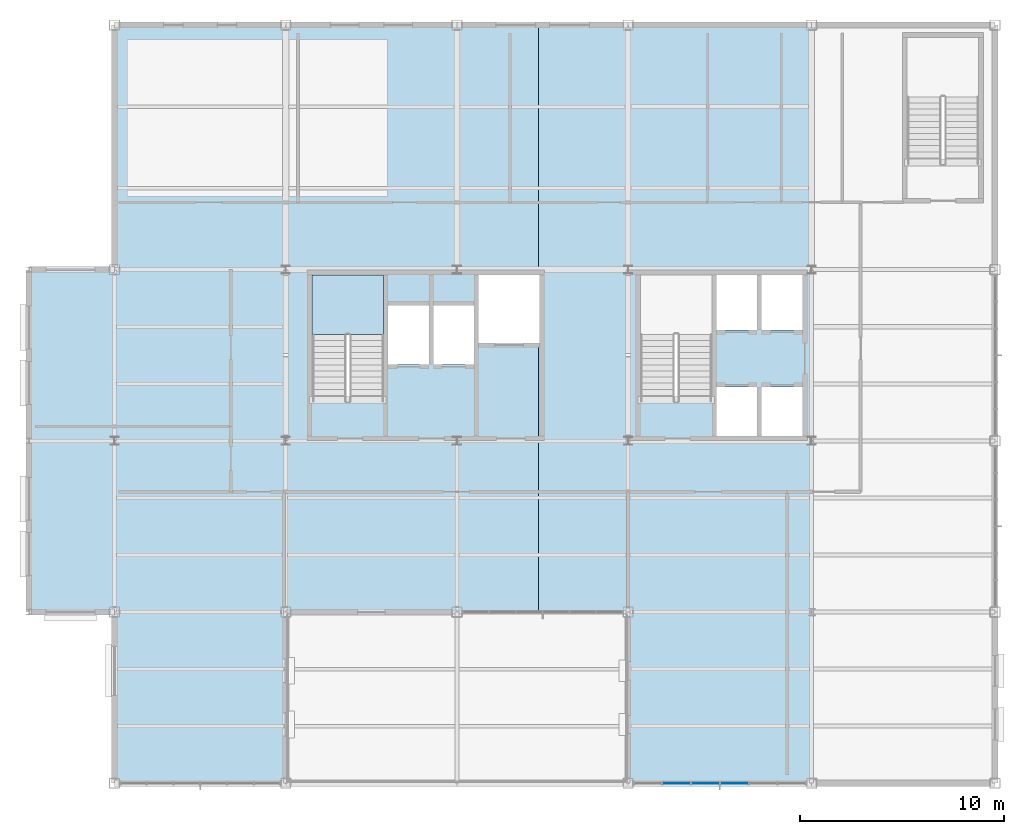
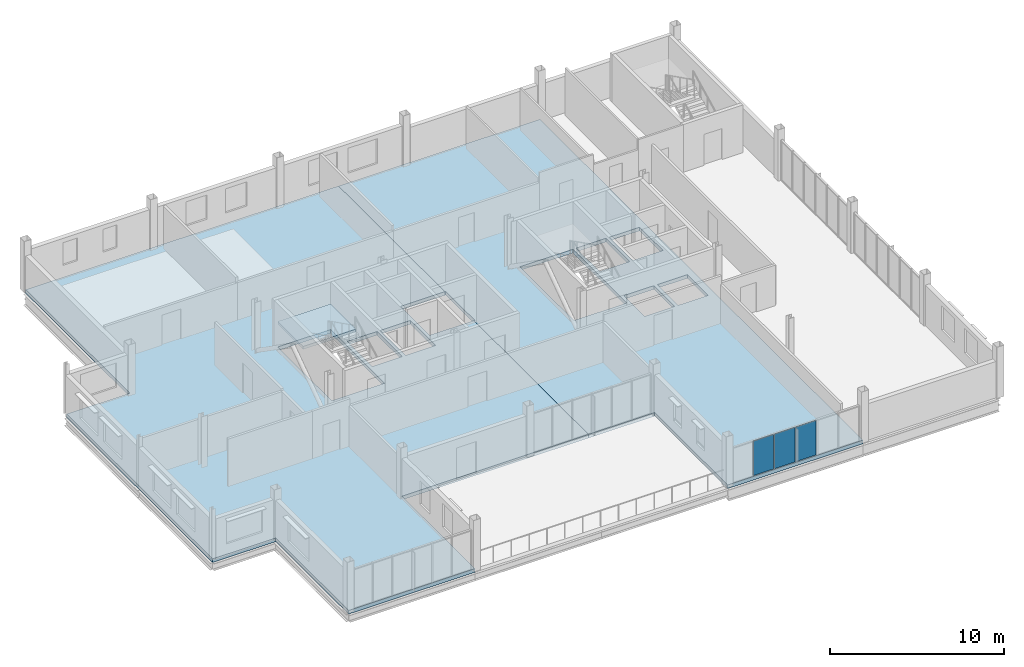
# One storey, part 11 of 20: 3 plates, 3 slabs, 2 elements without a shape of their own.
"""IFC4 building model written with IfcOpenShell, lengths in metres."""

from ifc_helpers import new_model, si_unit, direction, frame, origin, origin_2d, place, context, subcontext, project, spatial, polyline, rectangle, outline, extrude, material, layer, layer_set, type_object, element, aggregate, save


model = new_model("IFC4")

# Units and contexts
model_context = context("Model", 3, precision=1e-05, world=origin(), true_north=direction((0.0, 1.0)))
body_context = subcontext(model_context, "Body", "Model", "MODEL_VIEW")
ifc_project = project(units=[si_unit("LENGTHUNIT", "METRE"), si_unit("AREAUNIT", "SQUARE_METRE"), si_unit("VOLUMEUNIT", "CUBIC_METRE"), si_unit("PLANEANGLEUNIT", "RADIAN"), si_unit("MASSUNIT", "GRAM", prefix="KILO")], contexts=[model_context])

# Site, building, storey
site_placement = place(None, origin())
site = spatial("IfcSite", under=ifc_project, at=site_placement, CompositionType="ELEMENT")
building_placement = place(site_placement, origin())
building = spatial("IfcBuilding", under=site, at=building_placement, Name="Yukiwa Park Conservatory and Herbarium", CompositionType="ELEMENT")
storey_placement = place(building_placement, frame((0.0, 0.0, 28.199951171875)))
storey = spatial("IfcBuildingStorey", under=building, at=storey_placement, Name="L07", CompositionType="ELEMENT", Elevation=28.199951171875)

# Curtain wall, plates
ifc_material_1 = material(Name="Triple Low-E Insulated Glass", Category="glass")
ifc_layer_1 = layer(ifc_material_1, 0.248046875)
ifc_layer_set_1 = layer_set([ifc_layer_1], Name="Triple Low-E Insulated Glass")
curtain_wall_type = type_object("IfcCurtainWallType", Name="CW-TOWER-LAB-S-1400", PredefinedType="NOTDEFINED", material=ifc_layer_set_1)
curtain_wall_placement = place(storey_placement, origin())
curtain_wall = element("IfcCurtainWall", 1, at=curtain_wall_placement, inside=storey, type_object=curtain_wall_type, Name="L07 unitised curtain wall CW-L07-090", PredefinedType="NOTDEFINED")
ifc_material_2 = material(Name="Triple Low-E Insulated Glass", Category="glass")
ifc_layer_2 = layer(ifc_material_2, 0.035888671875)
ifc_layer_set_2 = layer_set([ifc_layer_2], Name="Triple Low-E Insulated Glass")
plate_type = type_object("IfcPlateType", Name="PL-CW-GLZ-36", PredefinedType="CURTAIN_PANEL", material=ifc_layer_set_2)
plate_1_placement = place(storey_placement, frame((152.375, 78.0, 0.070068359375), z_axis=(0.0, 0.0, 1.0), x_axis=(1.0, 0.0, 0.0)))
plate_1 = element("IfcPlate", 2, at=plate_1_placement, type_object=plate_type, Name="CW-L07-090 vision panel 2.1", PredefinedType="CURTAIN_PANEL", context=body_context, shape_type="SweptSolid", body=[
    extrude(rectangle(XDim=1.3466796875, YDim=0.035888671875, at=origin_2d()), origin(), (0.0, 0.0, 1.0), 2.419921875),
])
plate_2_placement = place(storey_placement, frame((153.791748046875, 78.0, 0.070068359375), z_axis=(0.0, 0.0, 1.0), x_axis=(1.0, 0.0, 0.0)))
plate_2 = element("IfcPlate", 3, at=plate_2_placement, type_object=plate_type, Name="CW-L07-090 vision panel 3.1", PredefinedType="CURTAIN_PANEL", context=body_context, shape_type="SweptSolid", body=[
    extrude(rectangle(XDim=1.3466796875, YDim=0.035888671875, at=origin_2d()), origin(), (0.0, 0.0, 1.0), 2.419921875),
])
plate_3_placement = place(storey_placement, frame((155.208251953125, 78.0, 0.070068359375), z_axis=(0.0, 0.0, 1.0), x_axis=(1.0, 0.0, 0.0)))
plate_3 = element("IfcPlate", 4, at=plate_3_placement, type_object=plate_type, Name="CW-L07-090 vision panel 4.1", PredefinedType="CURTAIN_PANEL", context=body_context, shape_type="SweptSolid", body=[
    extrude(rectangle(XDim=1.3466796875, YDim=0.035888671875, at=origin_2d()), origin(), (0.0, 0.0, 1.0), 2.419921875),
])
aggregate(curtain_wall, [plate_1, plate_2, plate_3])

# Slabs
ifc_material_3 = material(Name="Concrete C40", Category="concrete")
ifc_layer_3 = layer(ifc_material_3, 0.2548828125)
ifc_layer_set_3 = layer_set([ifc_layer_3], Name="Concrete C40")
slab_type_1 = type_object("IfcSlabType", Name="SL-FLR-255", PredefinedType="FLOOR", material=ifc_layer_set_3)
slab_1_placement = place(storey_placement, frame((0.0, 0.0, -0.2548828125)))
element("IfcSlab", 5, at=slab_1_placement, inside=storey, type_object=slab_type_1, Name="L07 composite structural floor slab V5W", PredefinedType="FLOOR", context=body_context, shape_type="SweptSolid", body=[
    extrude(outline(polyline([(133.199951171875, 78.0), (124.800048828125, 78.0), (124.800048828125, 86.39990234375), (120.60009765625, 86.39990234375), (120.60009765625, 103.199951171875), (124.800048828125, 103.199951171875), (124.800048828125, 115.199951171875), (145.60009765625, 115.199951171875), (145.60009765625, 102.949951171875), (142.659912109375, 102.949951171875), (142.659912109375, 99.60009765625), (145.60009765625, 99.60009765625), (145.60009765625, 86.39990234375), (133.199951171875, 86.39990234375), (133.199951171875, 78.0)]), holes=[polyline([(134.489990234375, 102.949951171875), (134.489990234375, 96.72998046875), (138.0, 96.72998046875), (138.0, 102.949951171875), (134.489990234375, 102.949951171875)]), polyline([(140.219970703125, 101.43994140625), (138.219970703125, 101.43994140625), (138.219970703125, 98.5400390625), (140.219970703125, 98.5400390625), (140.219970703125, 101.43994140625)]), polyline([(140.43994140625, 101.43994140625), (140.43994140625, 98.5400390625), (142.43994140625, 98.5400390625), (142.43994140625, 101.43994140625), (140.43994140625, 101.43994140625)])]), origin(), (0.0, 0.0, 1.0), 0.2548828125),
])
slab_2_placement = place(storey_placement, frame((0.0, 0.0, -0.2548828125)))
element("IfcSlab", 6, at=slab_2_placement, inside=storey, type_object=slab_type_1, Name="L07 composite structural floor slab V5C", PredefinedType="FLOOR", context=body_context, shape_type="SweptSolid", body=[
    extrude(outline(polyline([(150.0, 86.39990234375), (145.60009765625, 86.39990234375), (145.60009765625, 99.60009765625), (145.659912109375, 99.60009765625), (145.659912109375, 102.949951171875), (145.60009765625, 102.949951171875), (145.60009765625, 115.199951171875), (159.0, 115.199951171875), (159.0, 78.0), (150.0, 78.0), (150.0, 86.39990234375)]), holes=[polyline([(154.330078125, 97.449951171875), (154.330078125, 95.050048828125), (156.330078125, 95.050048828125), (156.330078125, 97.449951171875), (154.330078125, 97.449951171875)]), polyline([(156.550048828125, 97.449951171875), (156.550048828125, 95.050048828125), (158.550048828125, 95.050048828125), (158.550048828125, 97.449951171875), (156.550048828125, 97.449951171875)]), polyline([(154.110107421875, 102.949951171875), (150.60009765625, 102.949951171875), (150.60009765625, 96.72998046875), (154.110107421875, 96.72998046875), (154.110107421875, 102.949951171875)]), polyline([(154.330078125, 102.949951171875), (154.330078125, 100.25), (156.330078125, 100.25), (156.330078125, 102.949951171875), (154.330078125, 102.949951171875)]), polyline([(158.550048828125, 102.949951171875), (156.550048828125, 102.949951171875), (156.550048828125, 100.25), (158.550048828125, 100.25), (158.550048828125, 102.949951171875)])]), origin(), (0.0, 0.0, 1.0), 0.2548828125),
])

# Stair, slab
ifc_material_4 = material(Name="Concrete C40", Category="concrete")
stair_type = type_object("IfcStairType", Name="ST-DOGLEG-ST-T1", PredefinedType="HALF_TURN_STAIR", material=ifc_material_4)
stair_placement = place(storey_placement, origin())
stair = element("IfcStair", 7, at=stair_placement, inside=storey, type_object=stair_type, Name="L07 Protected Smoke-Proof Stair ST-T1", PredefinedType="HALF_TURN_STAIR")
ifc_material_5 = material(Name="Concrete C40", Category="concrete")
ifc_layer_4 = layer(ifc_material_5, 0.199951171875)
ifc_layer_set_4 = layer_set([ifc_layer_4], Name="Concrete C40")
slab_type_2 = type_object("IfcSlabType", Name="SL-LANDING-220", PredefinedType="LANDING", material=ifc_layer_set_4)
slab_3_placement = place(storey_placement, frame((0.0, 0.0, 1.60009765625)))
slab_3 = element("IfcSlab", 8, at=slab_3_placement, type_object=slab_type_2, Name="ST-T1 landing 1", PredefinedType="LANDING", context=body_context, shape_type="SweptSolid", body=[
    extrude(outline(polyline([(138.0, 100.030029296875), (138.0, 102.949951171875), (134.489990234375, 102.949951171875), (134.489990234375, 100.030029296875), (138.0, 100.030029296875)])), origin(), (0.0, 0.0, 1.0), 0.199951171875),
])
aggregate(stair, [slab_3])

save(model, "model.ifc")
